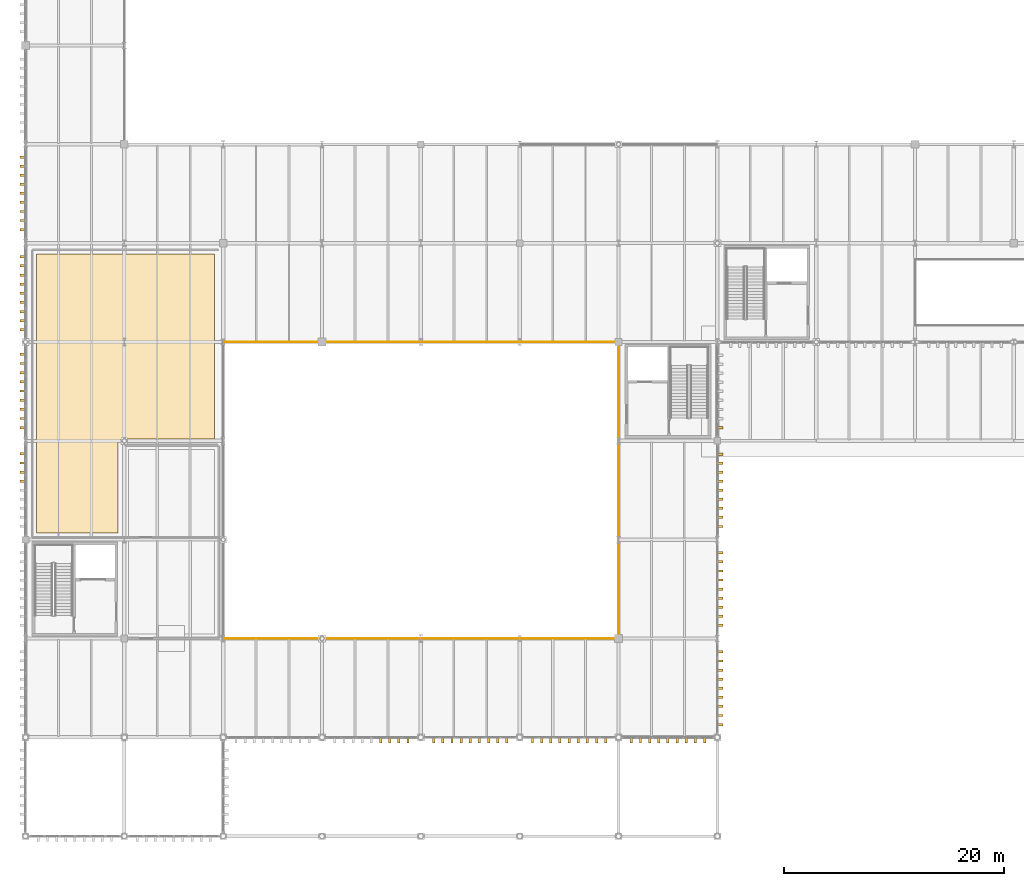
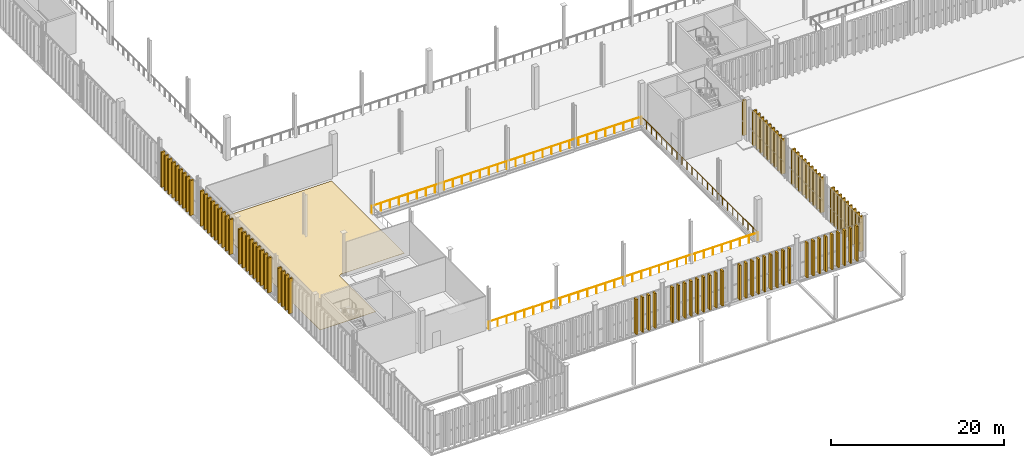
# One storey, part 188 of 211: 90 shading devices, 3 railings, 1 covering.
"""IFC4 building model written with IfcOpenShell, lengths in metres."""

from ifc_helpers import new_model, si_unit, direction, frame, origin, origin_2d, place, context, subcontext, project, spatial, polyline, rectangle, circle, outline, extrude, material, layer, layer_set, type_object, element, save


model = new_model("IFC4")

# Units and contexts
model_context = context("Model", 3, precision=1e-05, world=origin(), true_north=direction((0.0, 1.0)))
body_context = subcontext(model_context, "Body", "Model", "MODEL_VIEW")
ifc_project = project(units=[si_unit("LENGTHUNIT", "METRE"), si_unit("AREAUNIT", "SQUARE_METRE"), si_unit("VOLUMEUNIT", "CUBIC_METRE"), si_unit("PLANEANGLEUNIT", "RADIAN"), si_unit("MASSUNIT", "GRAM", prefix="KILO")], contexts=[model_context])

# Site, building, storey
site_placement = place(None, origin())
site = spatial("IfcSite", under=ifc_project, at=site_placement, CompositionType="ELEMENT")
building_placement = place(site_placement, origin())
building = spatial("IfcBuilding", under=site, at=building_placement, Name="Barlavento Convention Centre", CompositionType="ELEMENT")
storey_placement = place(building_placement, frame((0.0, 0.0, 6.0)))
storey = spatial("IfcBuildingStorey", under=building, at=storey_placement, Name="L01", CompositionType="ELEMENT", Elevation=6.0)

# Covering
ifc_material_1 = material(Name="Honed granite concourse stone flooring", Category="masonry")
ifc_layer = layer(ifc_material_1, 0.030029296875)
ifc_layer_set = layer_set([ifc_layer], Name="ARC-COV-FLR-STONE")
covering_type = type_object("IfcCoveringType", Name="ARC-COV-FLR-STONE", PredefinedType="FLOORING", material=ifc_layer_set)
covering_placement = place(storey_placement, origin())
element("IfcCovering", 1, at=covering_placement, inside=storey, type_object=covering_type, Name="L01 honed stone floor finish", PredefinedType="FLOORING", context=body_context, shape_type="SweptSolid", body=[
    extrude(outline(polyline([(17.199951171875, 36.159912109375), (8.840087890625, 36.159912109375), (8.801025390625, 36.157958984375), (8.761962890625, 36.152099609375), (8.72412109375, 36.14306640625), (8.68701171875, 36.1298828125), (8.65087890625, 36.113037109375), (8.617919921875, 36.093017578125), (8.5859375, 36.069091796875), (8.556884765625, 36.04296875), (8.531005859375, 36.013916015625), (8.507080078125, 35.98193359375), (8.487060546875, 35.948974609375), (8.469970703125, 35.9130859375), (8.45703125, 35.8759765625), (8.447998046875, 35.837890625), (8.44189453125, 35.799072265625), (8.43994140625, 35.760009765625), (8.43994140625, 27.60009765625), (1.0, 27.60009765625), (1.0, 53.0), (17.199951171875, 53.0), (17.199951171875, 36.159912109375)])), origin(), (0.0, 0.0, 1.0), 0.030029296875),
])

# Railings
ifc_material_2 = material(Name="Stainless steel and laminated glass balustrade", Category="steel")
railing_type = type_object("IfcRailingType", Name="ARC-RAL-BAL-1100", PredefinedType="BALUSTRADE", material=ifc_material_2)
railing_1_placement = place(storey_placement, frame((18.0, 18.0, 0.0)))
element("IfcRailing", 2, at=railing_1_placement, inside=storey, type_object=railing_type, Name="L01 interior atrium or gallery balustrade GR01", PredefinedType="BALUSTRADE", context=body_context, shape_type="SweptSolid", body=[
    extrude(circle(Radius=0.02392578125, at=origin_2d()), frame((0.0, 0.0, 1.076171875), z_axis=(1.0, 0.0, 0.0), x_axis=(0.0, 1.0, 0.0)), (0.0, 0.0, 1.0), 36.0),
    extrude(circle(Radius=0.02099609375, at=origin_2d()), origin(), (0.0, 0.0, 1.0), 1.052001953125),
    extrude(circle(Radius=0.02099609375, at=origin_2d()), frame((1.199951171875, 0.0, 0.0)), (0.0, 0.0, 1.0), 1.052001953125),
    extrude(circle(Radius=0.02099609375, at=origin_2d()), frame((2.39990234375, 0.0, 0.0)), (0.0, 0.0, 1.0), 1.052001953125),
    extrude(circle(Radius=0.02099609375, at=origin_2d()), frame((3.60009765625, 0.0, 0.0)), (0.0, 0.0, 1.0), 1.052001953125),
    extrude(circle(Radius=0.02099609375, at=origin_2d()), frame((4.800048828125, 0.0, 0.0)), (0.0, 0.0, 1.0), 1.052001953125),
    extrude(circle(Radius=0.02099609375, at=origin_2d()), frame((6.0, 0.0, 0.0)), (0.0, 0.0, 1.0), 1.052001953125),
    extrude(circle(Radius=0.02099609375, at=origin_2d()), frame((7.199951171875, 0.0, 0.0)), (0.0, 0.0, 1.0), 1.052001953125),
    extrude(circle(Radius=0.02099609375, at=origin_2d()), frame((8.39990234375, 0.0, 0.0)), (0.0, 0.0, 1.0), 1.052001953125),
    extrude(circle(Radius=0.02099609375, at=origin_2d()), frame((9.60009765625, 0.0, 0.0)), (0.0, 0.0, 1.0), 1.052001953125),
    extrude(circle(Radius=0.02099609375, at=origin_2d()), frame((10.800048828125, 0.0, 0.0)), (0.0, 0.0, 1.0), 1.052001953125),
    extrude(circle(Radius=0.02099609375, at=origin_2d()), frame((12.0, 0.0, 0.0)), (0.0, 0.0, 1.0), 1.052001953125),
    extrude(circle(Radius=0.02099609375, at=origin_2d()), frame((13.199951171875, 0.0, 0.0)), (0.0, 0.0, 1.0), 1.052001953125),
    extrude(circle(Radius=0.02099609375, at=origin_2d()), frame((14.39990234375, 0.0, 0.0)), (0.0, 0.0, 1.0), 1.052001953125),
    extrude(circle(Radius=0.02099609375, at=origin_2d()), frame((15.60009765625, 0.0, 0.0)), (0.0, 0.0, 1.0), 1.052001953125),
    extrude(circle(Radius=0.02099609375, at=origin_2d()), frame((16.800048828125, 0.0, 0.0)), (0.0, 0.0, 1.0), 1.052001953125),
    extrude(circle(Radius=0.02099609375, at=origin_2d()), frame((18.0, 0.0, 0.0)), (0.0, 0.0, 1.0), 1.052001953125),
    extrude(circle(Radius=0.02099609375, at=origin_2d()), frame((19.199951171875, 0.0, 0.0)), (0.0, 0.0, 1.0), 1.052001953125),
    extrude(circle(Radius=0.02099609375, at=origin_2d()), frame((20.39990234375, 0.0, 0.0)), (0.0, 0.0, 1.0), 1.052001953125),
    extrude(circle(Radius=0.02099609375, at=origin_2d()), frame((21.60009765625, 0.0, 0.0)), (0.0, 0.0, 1.0), 1.052001953125),
    extrude(circle(Radius=0.02099609375, at=origin_2d()), frame((22.800048828125, 0.0, 0.0)), (0.0, 0.0, 1.0), 1.052001953125),
    extrude(circle(Radius=0.02099609375, at=origin_2d()), frame((24.0, 0.0, 0.0)), (0.0, 0.0, 1.0), 1.052001953125),
    extrude(circle(Radius=0.02099609375, at=origin_2d()), frame((25.199951171875, 0.0, 0.0)), (0.0, 0.0, 1.0), 1.052001953125),
    extrude(circle(Radius=0.02099609375, at=origin_2d()), frame((26.39990234375, 0.0, 0.0)), (0.0, 0.0, 1.0), 1.052001953125),
    extrude(circle(Radius=0.02099609375, at=origin_2d()), frame((27.60009765625, 0.0, 0.0)), (0.0, 0.0, 1.0), 1.052001953125),
    extrude(circle(Radius=0.02099609375, at=origin_2d()), frame((28.800048828125, 0.0, 0.0)), (0.0, 0.0, 1.0), 1.052001953125),
    extrude(circle(Radius=0.02099609375, at=origin_2d()), frame((30.0, 0.0, 0.0)), (0.0, 0.0, 1.0), 1.052001953125),
    extrude(circle(Radius=0.02099609375, at=origin_2d()), frame((31.199951171875, 0.0, 0.0)), (0.0, 0.0, 1.0), 1.052001953125),
    extrude(circle(Radius=0.02099609375, at=origin_2d()), frame((32.39990234375, 0.0, 0.0)), (0.0, 0.0, 1.0), 1.052001953125),
    extrude(circle(Radius=0.02099609375, at=origin_2d()), frame((33.60009765625, 0.0, 0.0)), (0.0, 0.0, 1.0), 1.052001953125),
    extrude(circle(Radius=0.02099609375, at=origin_2d()), frame((34.800048828125, 0.0, 0.0)), (0.0, 0.0, 1.0), 1.052001953125),
    extrude(circle(Radius=0.02099609375, at=origin_2d()), frame((36.0, 0.0, 0.0)), (0.0, 0.0, 1.0), 1.052001953125),
])
railing_2_placement = place(storey_placement, frame((54.0, 18.0, 0.0)))
element("IfcRailing", 3, at=railing_2_placement, inside=storey, type_object=railing_type, Name="L01 interior atrium or gallery balustrade GR01", PredefinedType="BALUSTRADE", context=body_context, shape_type="SweptSolid", body=[
    extrude(circle(Radius=0.02392578125, at=origin_2d()), frame((0.0, 0.0, 1.076171875), z_axis=(0.0, 1.0, 0.0), x_axis=(-1.0, 0.0, 0.0)), (0.0, 0.0, 1.0), 27.0),
    extrude(circle(Radius=0.02099609375, at=origin_2d()), origin(), (0.0, 0.0, 1.0), 1.052001953125),
    extrude(circle(Radius=0.02099609375, at=origin_2d()), frame((0.0, 1.173828125, 0.0)), (0.0, 0.0, 1.0), 1.052001953125),
    extrude(circle(Radius=0.02099609375, at=origin_2d()), frame((0.0, 2.347900390625, 0.0)), (0.0, 0.0, 1.0), 1.052001953125),
    extrude(circle(Radius=0.02099609375, at=origin_2d()), frame((0.0, 3.521728515625, 0.0)), (0.0, 0.0, 1.0), 1.052001953125),
    extrude(circle(Radius=0.02099609375, at=origin_2d()), frame((0.0, 4.695556640625, 0.0)), (0.0, 0.0, 1.0), 1.052001953125),
    extrude(circle(Radius=0.02099609375, at=origin_2d()), frame((0.0, 5.86962890625, 0.0)), (0.0, 0.0, 1.0), 1.052001953125),
    extrude(circle(Radius=0.02099609375, at=origin_2d()), frame((0.0, 7.04345703125, 0.0)), (0.0, 0.0, 1.0), 1.052001953125),
    extrude(circle(Radius=0.02099609375, at=origin_2d()), frame((0.0, 8.21728515625, 0.0)), (0.0, 0.0, 1.0), 1.052001953125),
    extrude(circle(Radius=0.02099609375, at=origin_2d()), frame((0.0, 9.391357421875, 0.0)), (0.0, 0.0, 1.0), 1.052001953125),
    extrude(circle(Radius=0.02099609375, at=origin_2d()), frame((0.0, 10.565185546875, 0.0)), (0.0, 0.0, 1.0), 1.052001953125),
    extrude(circle(Radius=0.02099609375, at=origin_2d()), frame((0.0, 11.739013671875, 0.0)), (0.0, 0.0, 1.0), 1.052001953125),
    extrude(circle(Radius=0.02099609375, at=origin_2d()), frame((0.0, 12.9130859375, 0.0)), (0.0, 0.0, 1.0), 1.052001953125),
    extrude(circle(Radius=0.02099609375, at=origin_2d()), frame((0.0, 14.0869140625, 0.0)), (0.0, 0.0, 1.0), 1.052001953125),
    extrude(circle(Radius=0.02099609375, at=origin_2d()), frame((0.0, 15.260986328125, 0.0)), (0.0, 0.0, 1.0), 1.052001953125),
    extrude(circle(Radius=0.02099609375, at=origin_2d()), frame((0.0, 16.434814453125, 0.0)), (0.0, 0.0, 1.0), 1.052001953125),
    extrude(circle(Radius=0.02099609375, at=origin_2d()), frame((0.0, 17.608642578125, 0.0)), (0.0, 0.0, 1.0), 1.052001953125),
    extrude(circle(Radius=0.02099609375, at=origin_2d()), frame((0.0, 18.78271484375, 0.0)), (0.0, 0.0, 1.0), 1.052001953125),
    extrude(circle(Radius=0.02099609375, at=origin_2d()), frame((0.0, 19.95654296875, 0.0)), (0.0, 0.0, 1.0), 1.052001953125),
    extrude(circle(Radius=0.02099609375, at=origin_2d()), frame((0.0, 21.13037109375, 0.0)), (0.0, 0.0, 1.0), 1.052001953125),
    extrude(circle(Radius=0.02099609375, at=origin_2d()), frame((0.0, 22.304443359375, 0.0)), (0.0, 0.0, 1.0), 1.052001953125),
    extrude(circle(Radius=0.02099609375, at=origin_2d()), frame((0.0, 23.478271484375, 0.0)), (0.0, 0.0, 1.0), 1.052001953125),
    extrude(circle(Radius=0.02099609375, at=origin_2d()), frame((0.0, 24.652099609375, 0.0)), (0.0, 0.0, 1.0), 1.052001953125),
    extrude(circle(Radius=0.02099609375, at=origin_2d()), frame((0.0, 25.826171875, 0.0)), (0.0, 0.0, 1.0), 1.052001953125),
    extrude(circle(Radius=0.02099609375, at=origin_2d()), frame((0.0, 27.0, 0.0)), (0.0, 0.0, 1.0), 1.052001953125),
])
railing_3_placement = place(storey_placement, frame((54.0, 45.0, 0.0)))
element("IfcRailing", 4, at=railing_3_placement, inside=storey, type_object=railing_type, Name="L01 interior atrium or gallery balustrade GR01", PredefinedType="BALUSTRADE", context=body_context, shape_type="SweptSolid", body=[
    extrude(circle(Radius=0.02392578125, at=origin_2d()), frame((0.0, 0.0, 1.076171875), z_axis=(-1.0, 0.0, 0.0), x_axis=(0.0, -1.0, 0.0)), (0.0, 0.0, 1.0), 36.0),
    extrude(circle(Radius=0.02099609375, at=origin_2d()), origin(), (0.0, 0.0, 1.0), 1.052001953125),
    extrude(circle(Radius=0.02099609375, at=origin_2d()), frame((-1.199951171875, 0.0, 0.0)), (0.0, 0.0, 1.0), 1.052001953125),
    extrude(circle(Radius=0.02099609375, at=origin_2d()), frame((-2.39990234375, 0.0, 0.0)), (0.0, 0.0, 1.0), 1.052001953125),
    extrude(circle(Radius=0.02099609375, at=origin_2d()), frame((-3.60009765625, 0.0, 0.0)), (0.0, 0.0, 1.0), 1.052001953125),
    extrude(circle(Radius=0.02099609375, at=origin_2d()), frame((-4.800048828125, 0.0, 0.0)), (0.0, 0.0, 1.0), 1.052001953125),
    extrude(circle(Radius=0.02099609375, at=origin_2d()), frame((-6.0, 0.0, 0.0)), (0.0, 0.0, 1.0), 1.052001953125),
    extrude(circle(Radius=0.02099609375, at=origin_2d()), frame((-7.199951171875, 0.0, 0.0)), (0.0, 0.0, 1.0), 1.052001953125),
    extrude(circle(Radius=0.02099609375, at=origin_2d()), frame((-8.39990234375, 0.0, 0.0)), (0.0, 0.0, 1.0), 1.052001953125),
    extrude(circle(Radius=0.02099609375, at=origin_2d()), frame((-9.60009765625, 0.0, 0.0)), (0.0, 0.0, 1.0), 1.052001953125),
    extrude(circle(Radius=0.02099609375, at=origin_2d()), frame((-10.800048828125, 0.0, 0.0)), (0.0, 0.0, 1.0), 1.052001953125),
    extrude(circle(Radius=0.02099609375, at=origin_2d()), frame((-12.0, 0.0, 0.0)), (0.0, 0.0, 1.0), 1.052001953125),
    extrude(circle(Radius=0.02099609375, at=origin_2d()), frame((-13.199951171875, 0.0, 0.0)), (0.0, 0.0, 1.0), 1.052001953125),
    extrude(circle(Radius=0.02099609375, at=origin_2d()), frame((-14.39990234375, 0.0, 0.0)), (0.0, 0.0, 1.0), 1.052001953125),
    extrude(circle(Radius=0.02099609375, at=origin_2d()), frame((-15.60009765625, 0.0, 0.0)), (0.0, 0.0, 1.0), 1.052001953125),
    extrude(circle(Radius=0.02099609375, at=origin_2d()), frame((-16.800048828125, 0.0, 0.0)), (0.0, 0.0, 1.0), 1.052001953125),
    extrude(circle(Radius=0.02099609375, at=origin_2d()), frame((-18.0, 0.0, 0.0)), (0.0, 0.0, 1.0), 1.052001953125),
    extrude(circle(Radius=0.02099609375, at=origin_2d()), frame((-19.199951171875, 0.0, 0.0)), (0.0, 0.0, 1.0), 1.052001953125),
    extrude(circle(Radius=0.02099609375, at=origin_2d()), frame((-20.39990234375, 0.0, 0.0)), (0.0, 0.0, 1.0), 1.052001953125),
    extrude(circle(Radius=0.02099609375, at=origin_2d()), frame((-21.60009765625, 0.0, 0.0)), (0.0, 0.0, 1.0), 1.052001953125),
    extrude(circle(Radius=0.02099609375, at=origin_2d()), frame((-22.800048828125, 0.0, 0.0)), (0.0, 0.0, 1.0), 1.052001953125),
    extrude(circle(Radius=0.02099609375, at=origin_2d()), frame((-24.0, 0.0, 0.0)), (0.0, 0.0, 1.0), 1.052001953125),
    extrude(circle(Radius=0.02099609375, at=origin_2d()), frame((-25.199951171875, 0.0, 0.0)), (0.0, 0.0, 1.0), 1.052001953125),
    extrude(circle(Radius=0.02099609375, at=origin_2d()), frame((-26.39990234375, 0.0, 0.0)), (0.0, 0.0, 1.0), 1.052001953125),
    extrude(circle(Radius=0.02099609375, at=origin_2d()), frame((-27.60009765625, 0.0, 0.0)), (0.0, 0.0, 1.0), 1.052001953125),
    extrude(circle(Radius=0.02099609375, at=origin_2d()), frame((-28.800048828125, 0.0, 0.0)), (0.0, 0.0, 1.0), 1.052001953125),
    extrude(circle(Radius=0.02099609375, at=origin_2d()), frame((-30.0, 0.0, 0.0)), (0.0, 0.0, 1.0), 1.052001953125),
    extrude(circle(Radius=0.02099609375, at=origin_2d()), frame((-31.199951171875, 0.0, 0.0)), (0.0, 0.0, 1.0), 1.052001953125),
    extrude(circle(Radius=0.02099609375, at=origin_2d()), frame((-32.39990234375, 0.0, 0.0)), (0.0, 0.0, 1.0), 1.052001953125),
    extrude(circle(Radius=0.02099609375, at=origin_2d()), frame((-33.60009765625, 0.0, 0.0)), (0.0, 0.0, 1.0), 1.052001953125),
    extrude(circle(Radius=0.02099609375, at=origin_2d()), frame((-34.800048828125, 0.0, 0.0)), (0.0, 0.0, 1.0), 1.052001953125),
    extrude(circle(Radius=0.02099609375, at=origin_2d()), frame((-36.0, 0.0, 0.0)), (0.0, 0.0, 1.0), 1.052001953125),
])

# Shading devices
ifc_material_3 = material(Name="PVDF white extruded aluminium", Category="aluminium")
shading_device_type = type_object("IfcShadingDeviceType", Name="ARC-SHD-FIN-480", PredefinedType="USERDEFINED", material=ifc_material_3)
for number, where, z_axis, x_axis, name in (
    (5, (32.333251953125, 8.760009765625, 0.0), (0.0, 0.0, 1.0), (1.0, 0.0, 0.0), "White vertical solar shading fin VF01"),
    (6, (33.16650390625, 8.760009765625, 0.0), (0.0, 0.0, 1.0), (1.0, 0.0, 0.0), "White vertical solar shading fin VF01"),
    (7, (33.99951171875, 8.760009765625, 0.0), (0.0, 0.0, 1.0), (1.0, 0.0, 0.0), "White vertical solar shading fin VF01"),
    (8, (34.832763671875, 8.760009765625, 0.0), (0.0, 0.0, 1.0), (1.0, 0.0, 0.0), "White vertical solar shading fin VF01"),
    (9, (37.167236328125, 8.760009765625, 0.0), (0.0, 0.0, 1.0), (1.0, 0.0, 0.0), "White vertical solar shading fin VF01"),
    (10, (38.00048828125, 8.760009765625, 0.0), (0.0, 0.0, 1.0), (1.0, 0.0, 0.0), "White vertical solar shading fin VF01"),
    (11, (38.83349609375, 8.760009765625, 0.0), (0.0, 0.0, 1.0), (1.0, 0.0, 0.0), "White vertical solar shading fin VF01"),
    (12, (39.666748046875, 8.760009765625, 0.0), (0.0, 0.0, 1.0), (1.0, 0.0, 0.0), "White vertical solar shading fin VF01"),
    (13, (40.5, 8.760009765625, 0.0), (0.0, 0.0, 1.0), (1.0, 0.0, 0.0), "White vertical solar shading fin VF01"),
    (14, (41.333251953125, 8.760009765625, 0.0), (0.0, 0.0, 1.0), (1.0, 0.0, 0.0), "White vertical solar shading fin VF01"),
    (15, (42.16650390625, 8.760009765625, 0.0), (0.0, 0.0, 1.0), (1.0, 0.0, 0.0), "White vertical solar shading fin VF01"),
    (16, (42.99951171875, 8.760009765625, 0.0), (0.0, 0.0, 1.0), (1.0, 0.0, 0.0), "White vertical solar shading fin VF01"),
    (17, (43.832763671875, 8.760009765625, 0.0), (0.0, 0.0, 1.0), (1.0, 0.0, 0.0), "White vertical solar shading fin VF01"),
    (18, (46.167236328125, 8.760009765625, 0.0), (0.0, 0.0, 1.0), (1.0, 0.0, 0.0), "White vertical solar shading fin VF01"),
    (19, (47.00048828125, 8.760009765625, 0.0), (0.0, 0.0, 1.0), (1.0, 0.0, 0.0), "White vertical solar shading fin VF01"),
    (20, (47.83349609375, 8.760009765625, 0.0), (0.0, 0.0, 1.0), (1.0, 0.0, 0.0), "White vertical solar shading fin VF01"),
    (21, (48.666748046875, 8.760009765625, 0.0), (0.0, 0.0, 1.0), (1.0, 0.0, 0.0), "White vertical solar shading fin VF01"),
    (22, (49.5, 8.760009765625, 0.0), (0.0, 0.0, 1.0), (1.0, 0.0, 0.0), "White vertical solar shading fin VF01"),
    (23, (50.333251953125, 8.760009765625, 0.0), (0.0, 0.0, 1.0), (1.0, 0.0, 0.0), "White vertical solar shading fin VF01"),
    (24, (51.16650390625, 8.760009765625, 0.0), (0.0, 0.0, 1.0), (1.0, 0.0, 0.0), "White vertical solar shading fin VF01"),
    (25, (51.99951171875, 8.760009765625, 0.0), (0.0, 0.0, 1.0), (1.0, 0.0, 0.0), "White vertical solar shading fin VF01"),
    (26, (52.832763671875, 8.760009765625, 0.0), (0.0, 0.0, 1.0), (1.0, 0.0, 0.0), "White vertical solar shading fin VF01"),
    (27, (55.167236328125, 8.760009765625, 0.0), (0.0, 0.0, 1.0), (1.0, 0.0, 0.0), "White vertical solar shading fin VF01"),
    (28, (56.00048828125, 8.760009765625, 0.0), (0.0, 0.0, 1.0), (1.0, 0.0, 0.0), "White vertical solar shading fin VF01"),
    (29, (56.83349609375, 8.760009765625, 0.0), (0.0, 0.0, 1.0), (1.0, 0.0, 0.0), "White vertical solar shading fin VF01"),
    (30, (57.666748046875, 8.760009765625, 0.0), (0.0, 0.0, 1.0), (1.0, 0.0, 0.0), "White vertical solar shading fin VF01"),
    (31, (58.5, 8.760009765625, 0.0), (0.0, 0.0, 1.0), (1.0, 0.0, 0.0), "White vertical solar shading fin VF01"),
    (32, (59.333251953125, 8.760009765625, 0.0), (0.0, 0.0, 1.0), (1.0, 0.0, 0.0), "White vertical solar shading fin VF01"),
    (33, (60.16650390625, 8.760009765625, 0.0), (0.0, 0.0, 1.0), (1.0, 0.0, 0.0), "White vertical solar shading fin VF01"),
    (34, (60.99951171875, 8.760009765625, 0.0), (0.0, 0.0, 1.0), (1.0, 0.0, 0.0), "White vertical solar shading fin VF01"),
    (35, (61.832763671875, 8.760009765625, 0.0), (0.0, 0.0, 1.0), (1.0, 0.0, 0.0), "White vertical solar shading fin VF01"),
    (36, (-0.239990234375, 32.33251953125, 0.0), (0.0, 0.0, 1.0), (0.0, 1.0, 0.0), "White vertical solar shading fin VF01"),
    (37, (-0.239990234375, 33.15771484375, 0.0), (0.0, 0.0, 1.0), (0.0, 1.0, 0.0), "White vertical solar shading fin VF01"),
    (38, (-0.239990234375, 33.983154296875, 0.0), (0.0, 0.0, 1.0), (0.0, 1.0, 0.0), "White vertical solar shading fin VF01"),
    (39, (-0.239990234375, 34.80859375, 0.0), (0.0, 0.0, 1.0), (0.0, 1.0, 0.0), "White vertical solar shading fin VF01"),
    (40, (-0.239990234375, 37.201171875, 0.0), (0.0, 0.0, 1.0), (0.0, 1.0, 0.0), "White vertical solar shading fin VF01"),
    (41, (-0.239990234375, 38.0361328125, 0.0), (0.0, 0.0, 1.0), (0.0, 1.0, 0.0), "White vertical solar shading fin VF01"),
    (42, (-0.239990234375, 38.87109375, 0.0), (0.0, 0.0, 1.0), (0.0, 1.0, 0.0), "White vertical solar shading fin VF01"),
    (43, (-0.239990234375, 39.706298828125, 0.0), (0.0, 0.0, 1.0), (0.0, 1.0, 0.0), "White vertical solar shading fin VF01"),
    (44, (-0.239990234375, 40.54150390625, 0.0), (0.0, 0.0, 1.0), (0.0, 1.0, 0.0), "White vertical solar shading fin VF01"),
    (45, (-0.239990234375, 41.37646484375, 0.0), (0.0, 0.0, 1.0), (0.0, 1.0, 0.0), "White vertical solar shading fin VF01"),
    (46, (-0.239990234375, 42.211669921875, 0.0), (0.0, 0.0, 1.0), (0.0, 1.0, 0.0), "White vertical solar shading fin VF01"),
    (47, (-0.239990234375, 43.046630859375, 0.0), (0.0, 0.0, 1.0), (0.0, 1.0, 0.0), "White vertical solar shading fin VF01"),
    (48, (-0.239990234375, 43.881591796875, 0.0), (0.0, 0.0, 1.0), (0.0, 1.0, 0.0), "White vertical solar shading fin VF01"),
    (49, (-0.239990234375, 46.113525390625, 0.0), (0.0, 0.0, 1.0), (0.0, 1.0, 0.0), "White vertical solar shading fin VF01"),
    (50, (-0.239990234375, 46.94384765625, 0.0), (0.0, 0.0, 1.0), (0.0, 1.0, 0.0), "White vertical solar shading fin VF01"),
    (51, (-0.239990234375, 47.77392578125, 0.0), (0.0, 0.0, 1.0), (0.0, 1.0, 0.0), "White vertical solar shading fin VF01"),
    (52, (-0.239990234375, 48.604248046875, 0.0), (0.0, 0.0, 1.0), (0.0, 1.0, 0.0), "White vertical solar shading fin VF01"),
    (53, (-0.239990234375, 49.4345703125, 0.0), (0.0, 0.0, 1.0), (0.0, 1.0, 0.0), "White vertical solar shading fin VF01"),
    (54, (-0.239990234375, 50.264892578125, 0.0), (0.0, 0.0, 1.0), (0.0, 1.0, 0.0), "White vertical solar shading fin VF01"),
    (55, (-0.239990234375, 51.09521484375, 0.0), (0.0, 0.0, 1.0), (0.0, 1.0, 0.0), "White vertical solar shading fin VF01"),
    (56, (-0.239990234375, 51.92529296875, 0.0), (0.0, 0.0, 1.0), (0.0, 1.0, 0.0), "White vertical solar shading fin VF01"),
    (57, (-0.239990234375, 52.755615234375, 0.0), (0.0, 0.0, 1.0), (0.0, 1.0, 0.0), "White vertical solar shading fin VF01"),
    (58, (63.239990234375, 10.16162109375, 0.0), (0.0, 0.0, 1.0), (0.0, 1.0, 0.0), "White vertical solar shading fin VF01"),
    (59, (63.239990234375, 10.9892578125, 0.0), (0.0, 0.0, 1.0), (0.0, 1.0, 0.0), "White vertical solar shading fin VF01"),
    (60, (63.239990234375, 11.81689453125, 0.0), (0.0, 0.0, 1.0), (0.0, 1.0, 0.0), "White vertical solar shading fin VF01"),
    (61, (63.239990234375, 12.644287109375, 0.0), (0.0, 0.0, 1.0), (0.0, 1.0, 0.0), "White vertical solar shading fin VF01"),
    (62, (63.239990234375, 13.471923828125, 0.0), (0.0, 0.0, 1.0), (0.0, 1.0, 0.0), "White vertical solar shading fin VF01"),
    (63, (63.239990234375, 14.299560546875, 0.0), (0.0, 0.0, 1.0), (0.0, 1.0, 0.0), "White vertical solar shading fin VF01"),
    (64, (63.239990234375, 15.127197265625, 0.0), (0.0, 0.0, 1.0), (0.0, 1.0, 0.0), "White vertical solar shading fin VF01"),
    (65, (63.239990234375, 15.954833984375, 0.0), (0.0, 0.0, 1.0), (0.0, 1.0, 0.0), "White vertical solar shading fin VF01"),
    (66, (63.239990234375, 16.782470703125, 0.0), (0.0, 0.0, 1.0), (0.0, 1.0, 0.0), "White vertical solar shading fin VF01"),
    (67, (63.239990234375, 19.212890625, 0.0), (0.0, 0.0, 1.0), (0.0, 1.0, 0.0), "White vertical solar shading fin VF01"),
    (68, (63.239990234375, 20.035888671875, 0.0), (0.0, 0.0, 1.0), (0.0, 1.0, 0.0), "White vertical solar shading fin VF01"),
    (69, (63.239990234375, 20.85888671875, 0.0), (0.0, 0.0, 1.0), (0.0, 1.0, 0.0), "White vertical solar shading fin VF01"),
    (70, (63.239990234375, 21.681884765625, 0.0), (0.0, 0.0, 1.0), (0.0, 1.0, 0.0), "White vertical solar shading fin VF01"),
    (71, (63.239990234375, 22.5048828125, 0.0), (0.0, 0.0, 1.0), (0.0, 1.0, 0.0), "White vertical solar shading fin VF01"),
    (72, (63.239990234375, 23.327880859375, 0.0), (0.0, 0.0, 1.0), (0.0, 1.0, 0.0), "White vertical solar shading fin VF01"),
    (73, (63.239990234375, 24.15087890625, 0.0), (0.0, 0.0, 1.0), (0.0, 1.0, 0.0), "White vertical solar shading fin VF01"),
    (74, (63.239990234375, 24.97412109375, 0.0), (0.0, 0.0, 1.0), (0.0, 1.0, 0.0), "White vertical solar shading fin VF01"),
    (75, (63.239990234375, 25.797119140625, 0.0), (0.0, 0.0, 1.0), (0.0, 1.0, 0.0), "White vertical solar shading fin VF01"),
    (76, (63.239990234375, 28.2041015625, 0.0), (0.0, 0.0, 1.0), (0.0, 1.0, 0.0), "White vertical solar shading fin VF01"),
    (77, (63.239990234375, 29.028076171875, 0.0), (0.0, 0.0, 1.0), (0.0, 1.0, 0.0), "White vertical solar shading fin VF01"),
    (78, (63.239990234375, 29.85205078125, 0.0), (0.0, 0.0, 1.0), (0.0, 1.0, 0.0), "White vertical solar shading fin VF01"),
    (79, (63.239990234375, 30.676025390625, 0.0), (0.0, 0.0, 1.0), (0.0, 1.0, 0.0), "White vertical solar shading fin VF01"),
    (80, (63.239990234375, 31.5, 0.0), (0.0, 0.0, 1.0), (0.0, 1.0, 0.0), "White vertical solar shading fin VF01"),
    (81, (63.239990234375, 32.323974609375, 0.0), (0.0, 0.0, 1.0), (0.0, 1.0, 0.0), "White vertical solar shading fin VF01"),
    (82, (63.239990234375, 33.14794921875, 0.0), (0.0, 0.0, 1.0), (0.0, 1.0, 0.0), "White vertical solar shading fin VF01"),
    (83, (63.239990234375, 33.971923828125, 0.0), (0.0, 0.0, 1.0), (0.0, 1.0, 0.0), "White vertical solar shading fin VF01"),
    (84, (63.239990234375, 34.7958984375, 0.0), (0.0, 0.0, 1.0), (0.0, 1.0, 0.0), "White vertical solar shading fin VF01"),
    (85, (63.239990234375, 37.205322265625, 0.0), (0.0, 0.0, 1.0), (0.0, 1.0, 0.0), "White vertical solar shading fin VF01"),
    (86, (-0.239990234375, 55.23828125, 0.0), (0.0, 0.0, 1.0), (0.0, 1.0, 0.0), "White vertical solar shading fin VF01"),
    (87, (-0.239990234375, 56.062744140625, 0.0), (0.0, 0.0, 1.0), (0.0, 1.0, 0.0), "White vertical solar shading fin VF01"),
    (88, (-0.239990234375, 56.88720703125, 0.0), (0.0, 0.0, 1.0), (0.0, 1.0, 0.0), "White vertical solar shading fin VF01"),
    (89, (-0.239990234375, 57.711669921875, 0.0), (0.0, 0.0, 1.0), (0.0, 1.0, 0.0), "White vertical solar shading fin VF01"),
    (90, (-0.239990234375, 58.535888671875, 0.0), (0.0, 0.0, 1.0), (0.0, 1.0, 0.0), "White vertical solar shading fin VF01"),
    (91, (-0.239990234375, 59.3603515625, 0.0), (0.0, 0.0, 1.0), (0.0, 1.0, 0.0), "White vertical solar shading fin VF01"),
    (92, (-0.239990234375, 60.184814453125, 0.0), (0.0, 0.0, 1.0), (0.0, 1.0, 0.0), "White vertical solar shading fin VF01"),
    (93, (-0.239990234375, 61.00927734375, 0.0), (0.0, 0.0, 1.0), (0.0, 1.0, 0.0), "White vertical solar shading fin VF01"),
    (94, (-0.239990234375, 61.83349609375, 0.0), (0.0, 0.0, 1.0), (0.0, 1.0, 0.0), "White vertical solar shading fin VF01"),
):
    element("IfcShadingDevice", number, at=place(storey_placement, frame(where, z_axis=z_axis, x_axis=x_axis)), inside=storey, type_object=shading_device_type, Name=name, ObjectType="FIN", PredefinedType="USERDEFINED", context=body_context, shape_type="SweptSolid", body=[
        extrude(rectangle(XDim=0.219970703125, YDim=0.52001953125, at=origin_2d()), origin(), (0.0, 0.0, 1.0), 4.949951171875),
    ])

save(model, "model.ifc")
